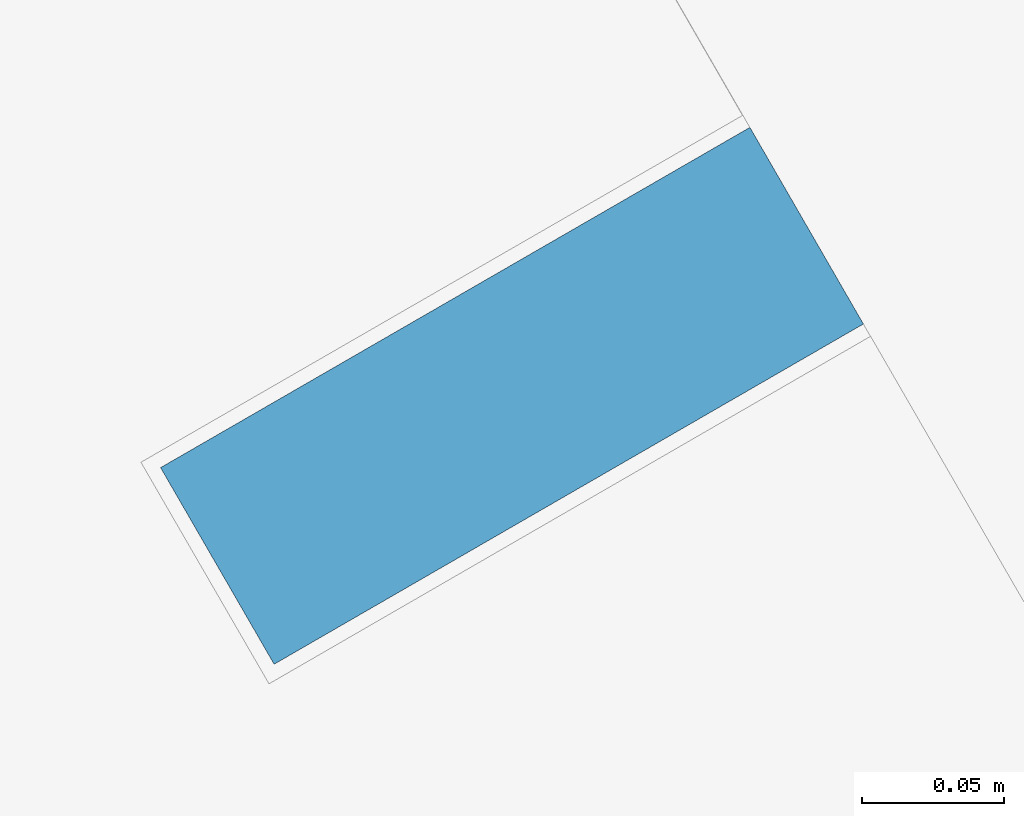
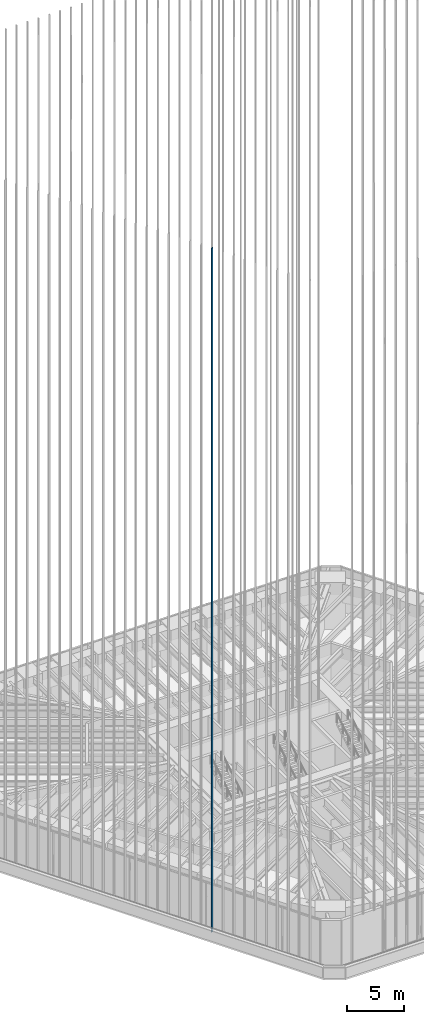
# One storey, part 5 of 228: 1 member, 1 element without a shape of its own.
"""IFC4 building model written with IfcOpenShell, lengths in metres."""

import ifcopenshell
import ifcopenshell.guid

model = None  # the IFC model being written
_history = None  # IfcOwnerHistory: only IFC2X3 demands one
_inside = {}  # id of a spatial element -> (the spatial element, [elements in it])
_under = {}  # id of a project, library or spatial element -> (it, [spatial elements below it])
_declared = {}  # id of a project -> (the project, [libraries it declares])
_typed = {}  # id of a type object -> (the type object, [elements of that type])
_made_of = {}  # id of a material, layer set ... -> (it, [elements and type objects made of it])


def new_model(schema):
    """Start an empty IFC model of exactly this schema.

    Asked for "IFC4X3", IfcOpenShell would pick the latest addendum, in which some entities
    have other attributes; the version numbers below select the first issue.
    IFC2X3 requires an IfcOwnerHistory on every rooted entity: one is made here for all.
    """
    global model, _history
    if schema == "IFC4X3":
        model = ifcopenshell.file(schema_version=(4, 3, 0, 0))
    else:
        model = ifcopenshell.file(schema=schema)
    _inside.clear()
    _under.clear()
    _declared.clear()
    _typed.clear()
    _made_of.clear()
    _history = None
    if model.schema == "IFC2X3":
        org = make("IfcOrganization", Name="unknown")
        user = make(
            "IfcPersonAndOrganization",
            ThePerson=make("IfcPerson", FamilyName="unknown"),
            TheOrganization=org,
        )
        app = make(
            "IfcApplication",
            ApplicationDeveloper=org,
            Version="unknown",
            ApplicationFullName="unknown",
            ApplicationIdentifier="unknown",
        )
        _history = make(
            "IfcOwnerHistory",
            OwningUser=user,
            OwningApplication=app,
            ChangeAction="ADDED",
            CreationDate=0,
        )
    return model


def make(cls, **values):
    """One entity of the class cls with the attributes given. An attribute that is None is left unset."""
    return model.create_entity(
        cls, **{name: value for name, value in values.items() if value is not None}
    )


def rooted(cls, **values):
    """An entity with a GlobalId (a new one), such as an element, a storey or a relation."""
    return make(cls, GlobalId=ifcopenshell.guid.new(), OwnerHistory=_history, **values)


def si_unit(unit_type, name, prefix=None):
    """IfcSIUnit, for example si_unit("LENGTHUNIT", "METRE", prefix="MILLI")."""
    return make("IfcSIUnit", UnitType=unit_type, Prefix=prefix, Name=name)


def assignment(units):
    """IfcUnitAssignment: the units of a project."""
    return None if units is None else make("IfcUnitAssignment", Units=units)


def point(xyz):
    """IfcCartesianPoint."""
    return None if xyz is None else make("IfcCartesianPoint", Coordinates=xyz)


def direction(xyz):
    """IfcDirection."""
    return None if xyz is None else make("IfcDirection", DirectionRatios=xyz)


def frame(location, z_axis=None, x_axis=None):
    """IfcAxis2Placement3D, a coordinate frame: its origin and axes. An axis left out is left unset."""
    return make(
        "IfcAxis2Placement3D",
        Location=point(location),
        Axis=direction(z_axis),
        RefDirection=direction(x_axis),
    )


def frame_2d(location, x_axis=None):
    """IfcAxis2Placement2D, a coordinate frame in the plane: its origin and x axis."""
    return make(
        "IfcAxis2Placement2D", Location=point(location), RefDirection=direction(x_axis)
    )


def origin():
    """The frame at (0, 0, 0) with its axes left unset."""
    return frame((0.0, 0.0, 0.0))


def origin_2d():
    """The frame at (0, 0) in the plane with its x axis left unset."""
    return frame_2d((0.0, 0.0))


def place(relative_to, where):
    """IfcLocalPlacement: puts the frame where relative to a parent placement (None: the world)."""
    return make(
        "IfcLocalPlacement", PlacementRelTo=relative_to, RelativePlacement=where
    )


def context(
    kind, dimensions, precision=None, world=None, true_north=None, identifier=None
):
    """IfcGeometricRepresentationContext, for example the 3D "Model" context."""
    return make(
        "IfcGeometricRepresentationContext",
        ContextIdentifier=identifier,
        ContextType=kind,
        CoordinateSpaceDimension=dimensions,
        Precision=precision,
        WorldCoordinateSystem=world,
        TrueNorth=true_north,
    )


def subcontext(parent, identifier, kind, view, scale=None):
    """IfcGeometricRepresentationSubContext, for example "Body" below "Model"."""
    return make(
        "IfcGeometricRepresentationSubContext",
        ContextIdentifier=identifier,
        ContextType=kind,
        ParentContext=parent,
        TargetScale=scale,
        TargetView=view,
    )


def project(units=None, contexts=None):
    """IfcProject with its units and contexts."""
    return rooted(
        "IfcProject",
        Name="project",
        RepresentationContexts=contexts,
        UnitsInContext=assignment(units),
    )


def spatial(cls, under=None, at=None, **own):
    """A site, building, storey or space (cls), placed at a placement, below another one or the project."""
    s = rooted(cls, ObjectPlacement=at, **own)
    if under is not None:
        _under.setdefault(under.id(), (under, []))[1].append(s)
    return s


def profile(cls, at=None, kind="AREA", **sizes):
    """A parametric profile (cls). Its sizes go by their IFC names, for example OverallWidth=200.0."""
    return make(cls, ProfileType=kind, Position=at, **sizes)


def rectangle(**sizes):
    """IfcRectangleProfileDef."""
    return profile("IfcRectangleProfileDef", **sizes)


def extrude(swept, where, along, depth):
    """IfcExtrudedAreaSolid: the profile swept, set in the frame where, extruded along a direction by depth."""
    return make(
        "IfcExtrudedAreaSolid",
        SweptArea=swept,
        Position=where,
        ExtrudedDirection=direction(along),
        Depth=depth,
    )


def shape(context_of_items, identifier, shape_type, items):
    """IfcShapeRepresentation: the items that make up one representation, for example the "Body"."""
    return make(
        "IfcShapeRepresentation",
        ContextOfItems=context_of_items,
        RepresentationIdentifier=identifier,
        RepresentationType=shape_type,
        Items=items,
    )


def material(Name=None, Category=None):
    """IfcMaterial."""
    return make("IfcMaterial", Name=Name, Category=Category)


def material_profile(
    of_material, cross_section, Name=None, Category=None, Priority=None
):
    """IfcMaterialProfile: a cross section and its material."""
    return make(
        "IfcMaterialProfile",
        Name=Name,
        Material=of_material,
        Profile=cross_section,
        Priority=Priority,
        Category=Category,
    )


def profile_set(profiles, Name=None, composite=None):
    """IfcMaterialProfileSet."""
    return make(
        "IfcMaterialProfileSet",
        Name=Name,
        MaterialProfiles=profiles,
        CompositeProfile=composite,
    )


def made_of(thing, what):
    """Note that an element or type object is made of a material, layer set ...; save() writes the relation."""
    if what is not None:
        _made_of.setdefault(what.id(), (what, []))[1].append(thing)
    return thing


def type_object(cls, material=None, **own):
    """A type object (cls), such as IfcWallType, which elements share."""
    return made_of(rooted(cls, **own), material)


def element(
    cls,
    number,
    at=None,
    inside=None,
    cuts=None,
    type_object=None,
    material=None,
    context=None,
    identifier="Body",
    shape_type=None,
    held_by="IfcProductDefinitionShape",
    body=None,
    shapes=None,
    **own,
):
    """One element of the class cls, such as IfcWall. Its Tag is "e" and its number.

    at: its placement. inside: the storey or other place that contains it. cuts: it is an
    opening in that element (IfcRelVoidsElement). A single representation is given by context,
    identifier, shape_type and body (its items); several are given by shapes. held_by: the class
    of the entity that holds the representations. save() writes the other relations.
    """
    e = rooted(cls, Tag="e%d" % number, ObjectPlacement=at, **own)
    if body is not None:
        shapes = [shape(context, identifier, shape_type, body)]
    if shapes is not None:
        e.Representation = make(held_by, Representations=shapes)
    if inside is not None:
        _inside.setdefault(inside.id(), (inside, []))[1].append(e)
    if cuts is not None:
        rooted(
            "IfcRelVoidsElement", RelatingBuildingElement=cuts, RelatedOpeningElement=e
        )
    if type_object is not None:
        _typed.setdefault(type_object.id(), (type_object, []))[1].append(e)
    return made_of(e, material)


def aggregate(whole, parts):
    """IfcRelAggregates: a whole, such as a stair, and the parts it consists of."""
    return rooted("IfcRelAggregates", RelatingObject=whole, RelatedObjects=parts)


def save(model, path):
    """Write the relations noted so far, then the file.

    IfcRelAggregates (storeys below a building ...), IfcRelContainedInSpatialStructure (elements
    in a storey), IfcRelDefinesByType, IfcRelAssociatesMaterial and IfcRelDeclares: one each for
    every whole, place, type object, material and project.
    """
    for whole, parts in _under.values():
        aggregate(whole, parts)
    for where, things in _inside.values():
        rooted(
            "IfcRelContainedInSpatialStructure",
            RelatedElements=things,
            RelatingStructure=where,
        )
    for kind, things in _typed.values():
        rooted("IfcRelDefinesByType", RelatedObjects=things, RelatingType=kind)
    for what, things in _made_of.values():
        rooted("IfcRelAssociatesMaterial", RelatedObjects=things, RelatingMaterial=what)
    for by, libraries in _declared.values():
        rooted("IfcRelDeclares", RelatingContext=by, RelatedDefinitions=libraries)
    model.write(path)


model = new_model("IFC4")

# Units and contexts
model_context = context("Model", 3, precision=1e-05, world=origin(), true_north=direction((0.0, 1.0)))
body_context = subcontext(model_context, "Body", "Model", "MODEL_VIEW")
ifc_project = project(units=[si_unit("LENGTHUNIT", "METRE"), si_unit("AREAUNIT", "SQUARE_METRE"), si_unit("VOLUMEUNIT", "CUBIC_METRE"), si_unit("PLANEANGLEUNIT", "RADIAN"), si_unit("MASSUNIT", "GRAM", prefix="KILO")], contexts=[model_context])

# Site, building, storey
site_placement = place(None, origin())
site = spatial("IfcSite", under=ifc_project, at=site_placement, CompositionType="ELEMENT")
building_placement = place(site_placement, origin())
building = spatial("IfcBuilding", under=site, at=building_placement, Name="Sandreach Pilgrim Tower", CompositionType="ELEMENT")
storey_placement = place(building_placement, frame((0.0, 0.0, 178.199951171875)))
storey = spatial("IfcBuildingStorey", under=building, at=storey_placement, Name="L44", CompositionType="ELEMENT", Elevation=178.199951171875)

# Curtain wall, member
ifc_material_1 = material(Name="Aluminium framed curtain wall", Category="aluminium")
curtain_wall_type = type_object("IfcCurtainWallType", Name="Upper hotel tower curtain wall", PredefinedType="NOTDEFINED", material=ifc_material_1)
curtain_wall_placement = place(storey_placement, origin())
curtain_wall = element("IfcCurtainWall", 1, at=curtain_wall_placement, inside=storey, type_object=curtain_wall_type, Name="CW-3 L44 SW", PredefinedType="NOTDEFINED")
ifc_material_2 = material(Name="Extruded terracotta on aluminium core", Category="masonry")
ifc_material_profile = material_profile(ifc_material_2, rectangle(XDim=0.080078125, YDim=0.239990234375, at=origin_2d()), Name="TBW 80X240")
ifc_profile_set = profile_set([ifc_material_profile], Name="Extruded terracotta on aluminium core")
member_type = type_object("IfcMemberType", Name="Terracotta baguette west", PredefinedType="USERDEFINED", material=ifc_profile_set)
member_placement = place(storey_placement, frame((-15.3828125, -16.516357421875, 0.0), z_axis=(0.0, 0.0, 1.0), x_axis=(-0.5, 0.866025403784, 0.0)))
member = element("IfcMember", 2, at=member_placement, type_object=member_type, Name="Baguette Z3 SW10", ObjectType="BAGUETTE", PredefinedType="USERDEFINED", context=body_context, shape_type="SweptSolid", body=[
    extrude(rectangle(XDim=0.080078125, YDim=0.239990234375, at=origin_2d()), origin(), (0.0, 0.0, 1.0), 73.239990234375),
])
aggregate(curtain_wall, [member])

save(model, "model.ifc")
